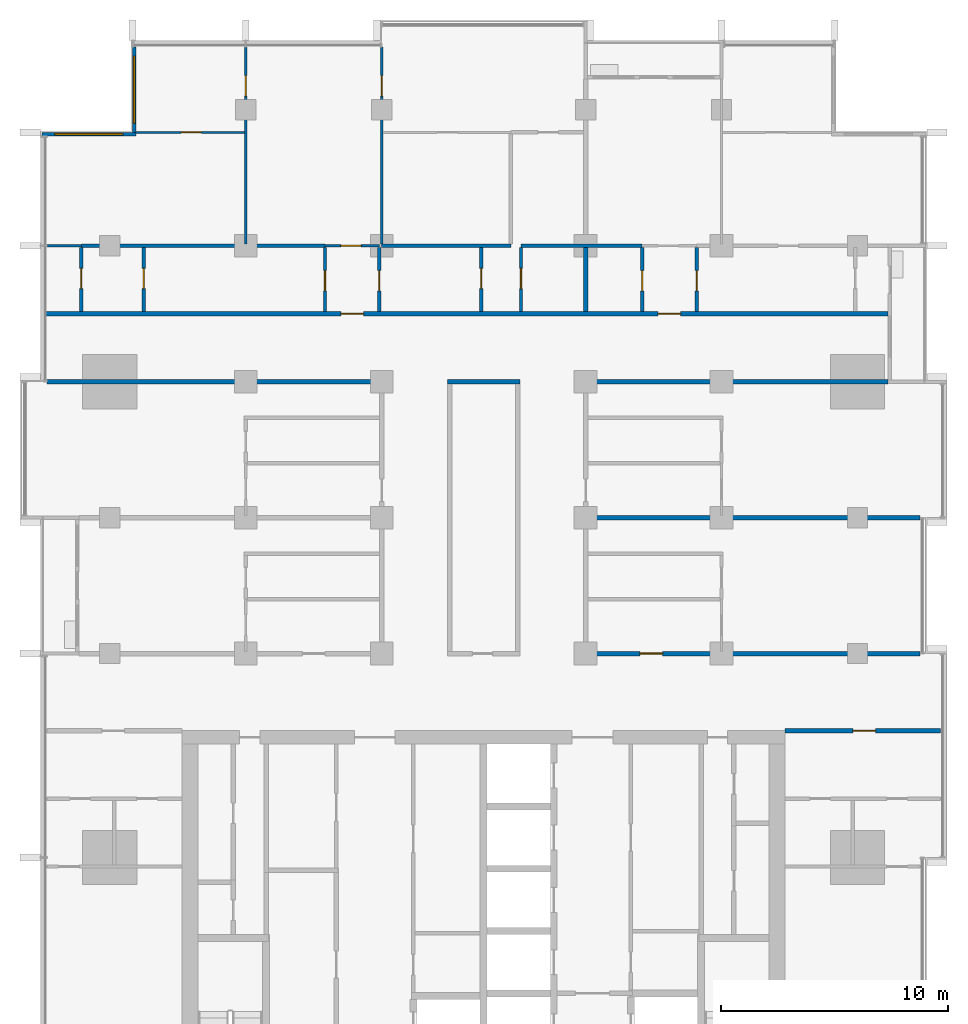
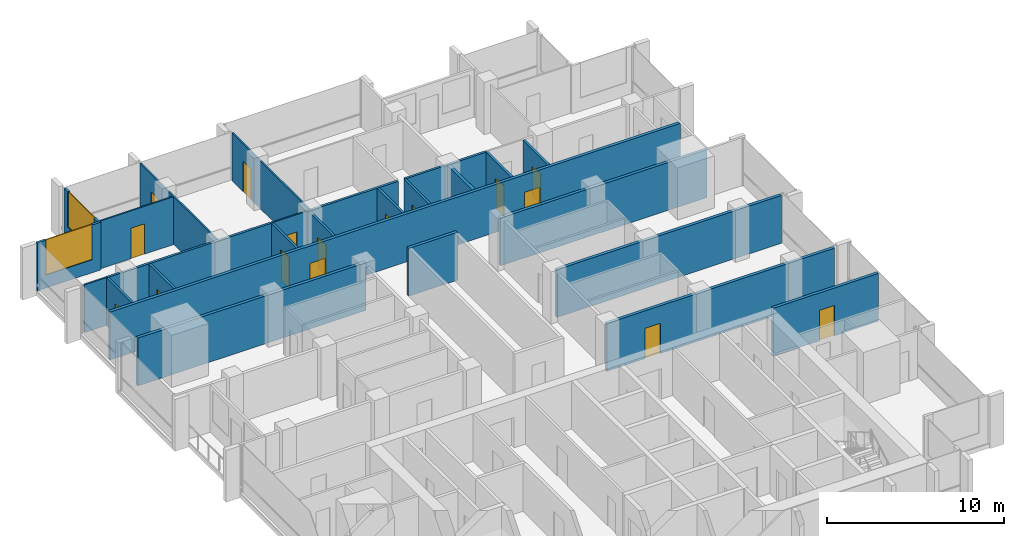
# One storey, part 10 of 16: 26 walls, 16 doors, 2 windows, 18 openings.
"""IFC4 building model written with IfcOpenShell, lengths in metres."""

import ifcopenshell
import ifcopenshell.guid

model = None  # the IFC model being written
_history = None  # IfcOwnerHistory: only IFC2X3 demands one
_inside = {}  # id of a spatial element -> (the spatial element, [elements in it])
_under = {}  # id of a project, library or spatial element -> (it, [spatial elements below it])
_declared = {}  # id of a project -> (the project, [libraries it declares])
_typed = {}  # id of a type object -> (the type object, [elements of that type])
_made_of = {}  # id of a material, layer set ... -> (it, [elements and type objects made of it])


def new_model(schema):
    """Start an empty IFC model of exactly this schema.

    Asked for "IFC4X3", IfcOpenShell would pick the latest addendum, in which some entities
    have other attributes; the version numbers below select the first issue.
    IFC2X3 requires an IfcOwnerHistory on every rooted entity: one is made here for all.
    """
    global model, _history
    if schema == "IFC4X3":
        model = ifcopenshell.file(schema_version=(4, 3, 0, 0))
    else:
        model = ifcopenshell.file(schema=schema)
    _inside.clear()
    _under.clear()
    _declared.clear()
    _typed.clear()
    _made_of.clear()
    _history = None
    if model.schema == "IFC2X3":
        org = make("IfcOrganization", Name="unknown")
        user = make(
            "IfcPersonAndOrganization",
            ThePerson=make("IfcPerson", FamilyName="unknown"),
            TheOrganization=org,
        )
        app = make(
            "IfcApplication",
            ApplicationDeveloper=org,
            Version="unknown",
            ApplicationFullName="unknown",
            ApplicationIdentifier="unknown",
        )
        _history = make(
            "IfcOwnerHistory",
            OwningUser=user,
            OwningApplication=app,
            ChangeAction="ADDED",
            CreationDate=0,
        )
    return model


def make(cls, **values):
    """One entity of the class cls with the attributes given. An attribute that is None is left unset."""
    return model.create_entity(
        cls, **{name: value for name, value in values.items() if value is not None}
    )


def rooted(cls, **values):
    """An entity with a GlobalId (a new one), such as an element, a storey or a relation."""
    return make(cls, GlobalId=ifcopenshell.guid.new(), OwnerHistory=_history, **values)


def si_unit(unit_type, name, prefix=None):
    """IfcSIUnit, for example si_unit("LENGTHUNIT", "METRE", prefix="MILLI")."""
    return make("IfcSIUnit", UnitType=unit_type, Prefix=prefix, Name=name)


def assignment(units):
    """IfcUnitAssignment: the units of a project."""
    return None if units is None else make("IfcUnitAssignment", Units=units)


def point(xyz):
    """IfcCartesianPoint."""
    return None if xyz is None else make("IfcCartesianPoint", Coordinates=xyz)


def direction(xyz):
    """IfcDirection."""
    return None if xyz is None else make("IfcDirection", DirectionRatios=xyz)


def frame(location, z_axis=None, x_axis=None):
    """IfcAxis2Placement3D, a coordinate frame: its origin and axes. An axis left out is left unset."""
    return make(
        "IfcAxis2Placement3D",
        Location=point(location),
        Axis=direction(z_axis),
        RefDirection=direction(x_axis),
    )


def frame_2d(location, x_axis=None):
    """IfcAxis2Placement2D, a coordinate frame in the plane: its origin and x axis."""
    return make(
        "IfcAxis2Placement2D", Location=point(location), RefDirection=direction(x_axis)
    )


def origin():
    """The frame at (0, 0, 0) with its axes left unset."""
    return frame((0.0, 0.0, 0.0))


def place(relative_to, where):
    """IfcLocalPlacement: puts the frame where relative to a parent placement (None: the world)."""
    return make(
        "IfcLocalPlacement", PlacementRelTo=relative_to, RelativePlacement=where
    )


def context(
    kind, dimensions, precision=None, world=None, true_north=None, identifier=None
):
    """IfcGeometricRepresentationContext, for example the 3D "Model" context."""
    return make(
        "IfcGeometricRepresentationContext",
        ContextIdentifier=identifier,
        ContextType=kind,
        CoordinateSpaceDimension=dimensions,
        Precision=precision,
        WorldCoordinateSystem=world,
        TrueNorth=true_north,
    )


def subcontext(parent, identifier, kind, view, scale=None):
    """IfcGeometricRepresentationSubContext, for example "Body" below "Model"."""
    return make(
        "IfcGeometricRepresentationSubContext",
        ContextIdentifier=identifier,
        ContextType=kind,
        ParentContext=parent,
        TargetScale=scale,
        TargetView=view,
    )


def project(units=None, contexts=None):
    """IfcProject with its units and contexts."""
    return rooted(
        "IfcProject",
        Name="project",
        RepresentationContexts=contexts,
        UnitsInContext=assignment(units),
    )


def spatial(cls, under=None, at=None, **own):
    """A site, building, storey or space (cls), placed at a placement, below another one or the project."""
    s = rooted(cls, ObjectPlacement=at, **own)
    if under is not None:
        _under.setdefault(under.id(), (under, []))[1].append(s)
    return s


def profile(cls, at=None, kind="AREA", **sizes):
    """A parametric profile (cls). Its sizes go by their IFC names, for example OverallWidth=200.0."""
    return make(cls, ProfileType=kind, Position=at, **sizes)


def rectangle(**sizes):
    """IfcRectangleProfileDef."""
    return profile("IfcRectangleProfileDef", **sizes)


def extrude(swept, where, along, depth):
    """IfcExtrudedAreaSolid: the profile swept, set in the frame where, extruded along a direction by depth."""
    return make(
        "IfcExtrudedAreaSolid",
        SweptArea=swept,
        Position=where,
        ExtrudedDirection=direction(along),
        Depth=depth,
    )


def shape(context_of_items, identifier, shape_type, items):
    """IfcShapeRepresentation: the items that make up one representation, for example the "Body"."""
    return make(
        "IfcShapeRepresentation",
        ContextOfItems=context_of_items,
        RepresentationIdentifier=identifier,
        RepresentationType=shape_type,
        Items=items,
    )


def material(Name=None, Category=None):
    """IfcMaterial."""
    return make("IfcMaterial", Name=Name, Category=Category)


def layer(
    of_material, thickness, ventilated=None, Name=None, Category=None, Priority=None
):
    """IfcMaterialLayer: one layer of a wall or slab, of a material (None: an air gap)."""
    return make(
        "IfcMaterialLayer",
        Material=of_material,
        LayerThickness=thickness,
        IsVentilated=ventilated,
        Name=Name,
        Category=Category,
        Priority=Priority,
    )


def layer_set(layers, Name=None):
    """IfcMaterialLayerSet."""
    return make("IfcMaterialLayerSet", MaterialLayers=layers, LayerSetName=Name)


def made_of(thing, what):
    """Note that an element or type object is made of a material, layer set ...; save() writes the relation."""
    if what is not None:
        _made_of.setdefault(what.id(), (what, []))[1].append(thing)
    return thing


def type_object(cls, material=None, **own):
    """A type object (cls), such as IfcWallType, which elements share."""
    return made_of(rooted(cls, **own), material)


def element(
    cls,
    number,
    at=None,
    inside=None,
    cuts=None,
    type_object=None,
    material=None,
    context=None,
    identifier="Body",
    shape_type=None,
    held_by="IfcProductDefinitionShape",
    body=None,
    shapes=None,
    **own,
):
    """One element of the class cls, such as IfcWall. Its Tag is "e" and its number.

    at: its placement. inside: the storey or other place that contains it. cuts: it is an
    opening in that element (IfcRelVoidsElement). A single representation is given by context,
    identifier, shape_type and body (its items); several are given by shapes. held_by: the class
    of the entity that holds the representations. save() writes the other relations.
    """
    e = rooted(cls, Tag="e%d" % number, ObjectPlacement=at, **own)
    if body is not None:
        shapes = [shape(context, identifier, shape_type, body)]
    if shapes is not None:
        e.Representation = make(held_by, Representations=shapes)
    if inside is not None:
        _inside.setdefault(inside.id(), (inside, []))[1].append(e)
    if cuts is not None:
        rooted(
            "IfcRelVoidsElement", RelatingBuildingElement=cuts, RelatedOpeningElement=e
        )
    if type_object is not None:
        _typed.setdefault(type_object.id(), (type_object, []))[1].append(e)
    return made_of(e, material)


def fill(opening, filler):
    """IfcRelFillsElement: the door or window that sits in an opening."""
    return rooted(
        "IfcRelFillsElement",
        RelatingOpeningElement=opening,
        RelatedBuildingElement=filler,
    )


def aggregate(whole, parts):
    """IfcRelAggregates: a whole, such as a stair, and the parts it consists of."""
    return rooted("IfcRelAggregates", RelatingObject=whole, RelatedObjects=parts)


def save(model, path):
    """Write the relations noted so far, then the file.

    IfcRelAggregates (storeys below a building ...), IfcRelContainedInSpatialStructure (elements
    in a storey), IfcRelDefinesByType, IfcRelAssociatesMaterial and IfcRelDeclares: one each for
    every whole, place, type object, material and project.
    """
    for whole, parts in _under.values():
        aggregate(whole, parts)
    for where, things in _inside.values():
        rooted(
            "IfcRelContainedInSpatialStructure",
            RelatedElements=things,
            RelatingStructure=where,
        )
    for kind, things in _typed.values():
        rooted("IfcRelDefinesByType", RelatedObjects=things, RelatingType=kind)
    for what, things in _made_of.values():
        rooted("IfcRelAssociatesMaterial", RelatedObjects=things, RelatingMaterial=what)
    for by, libraries in _declared.values():
        rooted("IfcRelDeclares", RelatingContext=by, RelatedDefinitions=libraries)
    model.write(path)


model = new_model("IFC4")

# Units and contexts
model_context = context("Model", 3, precision=1e-05, world=origin(), true_north=direction((0.0, 1.0)))
body_context = subcontext(model_context, "Body", "Model", "MODEL_VIEW")
ifc_project = project(units=[si_unit("LENGTHUNIT", "METRE"), si_unit("AREAUNIT", "SQUARE_METRE"), si_unit("VOLUMEUNIT", "CUBIC_METRE"), si_unit("PLANEANGLEUNIT", "RADIAN"), si_unit("MASSUNIT", "GRAM", prefix="KILO")], contexts=[model_context])

# Site, building, storey
site_placement = place(None, origin())
site = spatial("IfcSite", under=ifc_project, at=site_placement, CompositionType="ELEMENT")
building_placement = place(site_placement, origin())
building = spatial("IfcBuilding", under=site, at=building_placement, Name="Finial Court Residences", CompositionType="ELEMENT")
storey_placement = place(building_placement, frame((0.0, 0.0, 178.10009765625)))
storey = spatial("IfcBuildingStorey", under=building, at=storey_placement, Name="L44", CompositionType="ELEMENT", Elevation=178.10009765625)

# Walls
ifc_material_1 = material(Name="Gypsum board")
ifc_layer_1 = layer(ifc_material_1, 0.02490234375)
ifc_material_2 = material(Name="Acoustic mineral wool in double frame")
ifc_layer_2 = layer(ifc_material_2, 0.14990234375)
ifc_layer_3 = layer(ifc_material_1, 0.02490234375)
ifc_layer_set_1 = layer_set([ifc_layer_1, ifc_layer_2, ifc_layer_3], Name="Acoustic party wall 200, 1 hour")
wall_type_1 = type_object("IfcWallType", Name="Acoustic party wall 200, 1 hour", PredefinedType="PARTITIONING", material=ifc_layer_set_1)
wall_1_placement = place(storey_placement, frame((4.60009765625, 1.5, 0.0), z_axis=(0.0, 0.0, 1.0), x_axis=(1.0, 0.0, 0.0)))
element("IfcWall", 1, at=wall_1_placement, inside=storey, type_object=wall_type_1, Name="Partition L44-014", PredefinedType="PARTITIONING", context=body_context, shape_type="SweptSolid", body=[
    extrude(rectangle(XDim=14.662353515625, YDim=0.199951171875, at=frame_2d((7.3310546875, 0.0))), origin(), (0.0, 0.0, 1.0), 3.2998046875),
])
wall_2_placement = place(storey_placement, frame((4.5, 10.60009765625, 0.0), z_axis=(0.0, 0.0, 1.0), x_axis=(0.0, 1.0, 0.0)))
element("IfcWall", 2, at=wall_2_placement, inside=storey, type_object=wall_type_1, Name="Partition L44-052", PredefinedType="PARTITIONING", context=body_context, shape_type="SweptSolid", body=[
    extrude(rectangle(XDim=2.824951171875, YDim=0.199951171875, at=frame_2d((1.41259765625, 0.0))), origin(), (0.0, 0.0, 1.0), 3.2998046875),
])

# Wall, opening, door
ifc_layer_4 = layer(ifc_material_1, 0.02490234375)
ifc_layer_5 = layer(ifc_material_2, 0.14990234375)
ifc_layer_6 = layer(ifc_material_1, 0.02490234375)
ifc_layer_set_2 = layer_set([ifc_layer_4, ifc_layer_5, ifc_layer_6], Name="Corridor wall 200, 1 hour")
wall_type_2 = type_object("IfcWallType", Name="Corridor wall 200, 1 hour", PredefinedType="PARTITIONING", material=ifc_layer_set_2)
wall_3_placement = place(storey_placement, frame((13.300048828125, -7.89990234375, 0.0), z_axis=(0.0, 0.0, 1.0), x_axis=(1.0, 0.0, 0.0)))
wall_3 = element("IfcWall", 3, at=wall_3_placement, inside=storey, type_object=wall_type_2, Name="Partition L44-005", PredefinedType="PARTITIONING", context=body_context, shape_type="SweptSolid", body=[
    extrude(rectangle(XDim=6.862548828125, YDim=0.199951171875, at=frame_2d((3.43115234375, 0.0))), origin(), (0.0, 0.0, 1.0), 3.2998046875),
])
opening_1_placement = place(wall_3_placement, frame((3.0, 0.0, 0.0)))
opening_1 = element("IfcOpeningElement", 4, at=opening_1_placement, cuts=wall_3, Name="Opening L44-D008", PredefinedType="OPENING", context=body_context, shape_type="SweptSolid", body=[
    extrude(rectangle(XDim=1.0, YDim=2.10009765625, at=frame_2d((0.5, 1.050048828125))), frame((0.0, 0.10986328125, 0.0), z_axis=(0.0, -1.0, 0.0), x_axis=(1.0, 0.0, 0.0)), (0.0, 0.0, 1.0), 0.219970703125),
])
ifc_material_3 = material(Name="Timber door leaf in hollow metal frame", Category="wood")
door_type_1 = type_object("IfcDoorType", Name="Fire door set 1000 x 2100, 30 minutes", OperationType="SINGLE_SWING_LEFT", PredefinedType="DOOR", material=ifc_material_3)
door_1_placement = place(opening_1_placement, origin())
door_1 = element("IfcDoor", 5, at=door_1_placement, inside=storey, type_object=door_type_1, Name="Door L44-D008", OperationType="SINGLE_SWING_RIGHT", OverallHeight=2.10009765625, OverallWidth=1.0, PredefinedType="DOOR", context=body_context, shape_type="SweptSolid", body=[
    extrude(rectangle(XDim=1.0, YDim=2.10009765625, at=frame_2d((0.5, 1.050048828125))), frame((0.0, 0.02490234375, 0.0), z_axis=(0.0, -1.0, 0.0), x_axis=(1.0, 0.0, 0.0)), (0.0, 0.0, 1.0), 0.050048828125),
])
fill(opening_1, door_1)

wall_4_placement = place(storey_placement, frame((4.39990234375, -4.5, 0.0), z_axis=(0.0, 0.0, 1.0), x_axis=(1.0, 0.0, 0.0)))
wall_4 = element("IfcWall", 6, at=wall_4_placement, inside=storey, type_object=wall_type_2, Name="Partition L44-008", PredefinedType="PARTITIONING", context=body_context, shape_type="SweptSolid", body=[
    extrude(rectangle(XDim=14.862548828125, YDim=0.199951171875, at=frame_2d((7.43115234375, 0.0))), origin(), (0.0, 0.0, 1.0), 3.2998046875),
])
opening_2_placement = place(wall_4_placement, frame((2.5, 0.0, 0.0)))
opening_2 = element("IfcOpeningElement", 7, at=opening_2_placement, cuts=wall_4, Name="Opening L44-D011", PredefinedType="OPENING", context=body_context, shape_type="SweptSolid", body=[
    extrude(rectangle(XDim=1.0, YDim=2.10009765625, at=frame_2d((0.5, 1.050048828125))), frame((0.0, 0.10986328125, 0.0), z_axis=(0.0, -1.0, 0.0), x_axis=(1.0, 0.0, 0.0)), (0.0, 0.0, 1.0), 0.219970703125),
])
door_2_placement = place(opening_2_placement, origin())
door_2 = element("IfcDoor", 8, at=door_2_placement, inside=storey, type_object=door_type_1, Name="Door L44-D011", OperationType="SINGLE_SWING_RIGHT", OverallHeight=2.10009765625, OverallWidth=1.0, PredefinedType="DOOR", context=body_context, shape_type="SweptSolid", body=[
    extrude(rectangle(XDim=1.0, YDim=2.10009765625, at=frame_2d((0.5, 1.050048828125))), frame((0.0, 0.02490234375, 0.0), z_axis=(0.0, -1.0, 0.0), x_axis=(1.0, 0.0, 0.0)), (0.0, 0.0, 1.0), 0.050048828125),
])
fill(opening_2, door_2)

# Walls
wall_5_placement = place(storey_placement, frame((-19.262451171875, 7.5, 0.0), z_axis=(0.0, 0.0, 1.0), x_axis=(1.0, 0.0, 0.0)))
element("IfcWall", 9, at=wall_5_placement, inside=storey, type_object=wall_type_2, Name="Partition L44-019", PredefinedType="PARTITIONING", context=body_context, shape_type="SweptSolid", body=[
    extrude(rectangle(XDim=14.862548828125, YDim=0.199951171875, at=frame_2d((7.43115234375, 0.0))), origin(), (0.0, 0.0, 1.0), 3.2998046875),
])
wall_6_placement = place(storey_placement, frame((-1.60009765625, 7.5, 0.0), z_axis=(0.0, 0.0, 1.0), x_axis=(1.0, 0.0, 0.0)))
element("IfcWall", 10, at=wall_6_placement, inside=storey, type_object=wall_type_2, Name="Partition L44-020", PredefinedType="PARTITIONING", context=body_context, shape_type="SweptSolid", body=[
    extrude(rectangle(XDim=3.2001953125, YDim=0.199951171875, at=frame_2d((1.60009765625, 0.0))), origin(), (0.0, 0.0, 1.0), 3.2998046875),
])
wall_7_placement = place(storey_placement, frame((4.39990234375, 7.5, 0.0), z_axis=(0.0, 0.0, 1.0), x_axis=(1.0, 0.0, 0.0)))
element("IfcWall", 11, at=wall_7_placement, inside=storey, type_object=wall_type_2, Name="Partition L44-021", PredefinedType="PARTITIONING", context=body_context, shape_type="SweptSolid", body=[
    extrude(rectangle(XDim=13.4501953125, YDim=0.199951171875, at=frame_2d((6.72509765625, 0.0))), origin(), (0.0, 0.0, 1.0), 3.2998046875),
])

# Wall, openings, doors
wall_8_placement = place(storey_placement, frame((-19.35009765625, 10.5, 0.0), z_axis=(0.0, 0.0, 1.0), x_axis=(1.0, 0.0, 0.0)))
wall_8 = element("IfcWall", 12, at=wall_8_placement, inside=storey, type_object=wall_type_2, Name="Partition L44-022", PredefinedType="PARTITIONING", context=body_context, shape_type="SweptSolid", body=[
    extrude(rectangle(XDim=37.2001953125, YDim=0.199951171875, at=frame_2d((18.60009765625, 0.0))), origin(), (0.0, 0.0, 1.0), 3.2998046875),
])
opening_3_placement = place(wall_8_placement, frame((13.050048828125, 0.0, 0.0)))
opening_3 = element("IfcOpeningElement", 13, at=opening_3_placement, cuts=wall_8, Name="Opening L44-D012", PredefinedType="OPENING", context=body_context, shape_type="SweptSolid", body=[
    extrude(rectangle(XDim=1.0, YDim=2.10009765625, at=frame_2d((0.5, 1.050048828125))), frame((0.0, 0.10986328125, 0.0), z_axis=(0.0, -1.0, 0.0), x_axis=(1.0, 0.0, 0.0)), (0.0, 0.0, 1.0), 0.219970703125),
])
opening_4_placement = place(wall_8_placement, frame((27.050048828125, 0.0, 0.0)))
opening_4 = element("IfcOpeningElement", 14, at=opening_4_placement, cuts=wall_8, Name="Opening L44-D013", PredefinedType="OPENING", context=body_context, shape_type="SweptSolid", body=[
    extrude(rectangle(XDim=1.0, YDim=2.10009765625, at=frame_2d((0.5, 1.050048828125))), frame((0.0, 0.10986328125, 0.0), z_axis=(0.0, -1.0, 0.0), x_axis=(1.0, 0.0, 0.0)), (0.0, 0.0, 1.0), 0.219970703125),
])
door_3_placement = place(opening_3_placement, origin())
door_3 = element("IfcDoor", 15, at=door_3_placement, inside=storey, type_object=door_type_1, Name="Door L44-D012", OperationType="SINGLE_SWING_RIGHT", OverallHeight=2.10009765625, OverallWidth=1.0, PredefinedType="DOOR", context=body_context, shape_type="SweptSolid", body=[
    extrude(rectangle(XDim=1.0, YDim=2.10009765625, at=frame_2d((0.5, 1.050048828125))), frame((0.0, 0.02490234375, 0.0), z_axis=(0.0, -1.0, 0.0), x_axis=(1.0, 0.0, 0.0)), (0.0, 0.0, 1.0), 0.050048828125),
])
fill(opening_3, door_3)
door_4_placement = place(opening_4_placement, origin())
door_4 = element("IfcDoor", 16, at=door_4_placement, inside=storey, type_object=door_type_1, Name="Door L44-D013", OperationType="SINGLE_SWING_LEFT", OverallHeight=2.10009765625, OverallWidth=1.0, PredefinedType="DOOR", context=body_context, shape_type="SweptSolid", body=[
    extrude(rectangle(XDim=1.0, YDim=2.10009765625, at=frame_2d((0.5, 1.050048828125))), frame((0.0, 0.02490234375, 0.0), z_axis=(0.0, -1.0, 0.0), x_axis=(1.0, 0.0, 0.0)), (0.0, 0.0, 1.0), 0.050048828125),
])
fill(opening_4, door_4)

# Wall
ifc_layer_7 = layer(ifc_material_1, 0.012451171875)
ifc_material_4 = material(Name="Mineral wool in light-gauge frame")
ifc_layer_8 = layer(ifc_material_4, 0.074951171875)
ifc_layer_9 = layer(ifc_material_1, 0.012451171875)
ifc_layer_set_3 = layer_set([ifc_layer_7, ifc_layer_8, ifc_layer_9], Name="Gypsum board partition 100")
wall_type_3 = type_object("IfcWallType", Name="Gypsum board partition 100", PredefinedType="PARTITIONING", material=ifc_layer_set_3)
wall_9_placement = place(storey_placement, frame((-19.262451171875, 13.5, 0.0), z_axis=(0.0, 0.0, 1.0), x_axis=(1.0, 0.0, 0.0)))
element("IfcWall", 17, at=wall_9_placement, inside=storey, type_object=wall_type_3, Name="Partition L44-023", PredefinedType="PARTITIONING", context=body_context, shape_type="SweptSolid", body=[
    extrude(rectangle(XDim=1.512451171875, YDim=0.10009765625, at=frame_2d((0.75634765625, 0.0))), origin(), (0.0, 0.0, 1.0), 3.2998046875),
])

# Wall, opening, door
wall_10_placement = place(storey_placement, frame((-7.0, 13.5, 0.0), z_axis=(0.0, 0.0, 1.0), x_axis=(1.0, 0.0, 0.0)))
wall_10 = element("IfcWall", 18, at=wall_10_placement, inside=storey, type_object=wall_type_3, Name="Partition L44-024", PredefinedType="PARTITIONING", context=body_context, shape_type="SweptSolid", body=[
    extrude(rectangle(XDim=2.39990234375, YDim=0.10009765625, at=frame_2d((1.199951171875, 0.0))), origin(), (0.0, 0.0, 1.0), 3.2998046875),
])
opening_5_placement = place(wall_10_placement, frame((0.699951171875, 0.0, 0.0)))
opening_5 = element("IfcOpeningElement", 19, at=opening_5_placement, cuts=wall_10, Name="Opening L44-D014", PredefinedType="OPENING", context=body_context, shape_type="SweptSolid", body=[
    extrude(rectangle(XDim=0.89990234375, YDim=2.10009765625, at=frame_2d((0.449951171875, 1.050048828125))), frame((0.0, 0.06005859375, 0.0), z_axis=(0.0, -1.0, 0.0), x_axis=(1.0, 0.0, 0.0)), (0.0, 0.0, 1.0), 0.1201171875),
])
ifc_material_5 = material(Name="Timber door leaf in timber frame", Category="wood")
door_type_2 = type_object("IfcDoorType", Name="Door set 900 x 2100", OperationType="SINGLE_SWING_LEFT", PredefinedType="DOOR", material=ifc_material_5)
door_5_placement = place(opening_5_placement, origin())
door_5 = element("IfcDoor", 20, at=door_5_placement, inside=storey, type_object=door_type_2, Name="Door L44-D014", OperationType="SINGLE_SWING_LEFT", OverallHeight=2.10009765625, OverallWidth=0.89990234375, PredefinedType="DOOR", context=body_context, shape_type="SweptSolid", body=[
    extrude(rectangle(XDim=0.89990234375, YDim=2.10009765625, at=frame_2d((0.449951171875, 1.050048828125))), frame((0.0, 0.02490234375, 0.0), z_axis=(0.0, -1.0, 0.0), x_axis=(1.0, 0.0, 0.0)), (0.0, 0.0, 1.0), 0.050048828125),
])
fill(opening_5, door_5)

wall_11_placement = place(storey_placement, frame((-15.35009765625, 18.5, 0.0), z_axis=(0.0, 0.0, 1.0), x_axis=(1.0, 0.0, 0.0)))
wall_11 = element("IfcWall", 21, at=wall_11_placement, inside=storey, type_object=wall_type_3, Name="Partition L44-030", PredefinedType="PARTITIONING", context=body_context, shape_type="SweptSolid", body=[
    extrude(rectangle(XDim=4.800048828125, YDim=0.10009765625, at=frame_2d((2.39990234375, 0.0))), origin(), (0.0, 0.0, 1.0), 3.2998046875),
])
opening_6_placement = place(wall_11_placement, frame((2.0, 0.0, 0.0)))
opening_6 = element("IfcOpeningElement", 22, at=opening_6_placement, cuts=wall_11, Name="Opening L44-D017", PredefinedType="OPENING", context=body_context, shape_type="SweptSolid", body=[
    extrude(rectangle(XDim=0.89990234375, YDim=2.10009765625, at=frame_2d((0.449951171875, 1.050048828125))), frame((0.0, 0.06005859375, 0.0), z_axis=(0.0, -1.0, 0.0), x_axis=(1.0, 0.0, 0.0)), (0.0, 0.0, 1.0), 0.1201171875),
])
door_6_placement = place(opening_6_placement, origin())
door_6 = element("IfcDoor", 23, at=door_6_placement, inside=storey, type_object=door_type_2, Name="Door L44-D017", OperationType="SINGLE_SWING_LEFT", OverallHeight=2.10009765625, OverallWidth=0.89990234375, PredefinedType="DOOR", context=body_context, shape_type="SweptSolid", body=[
    extrude(rectangle(XDim=0.89990234375, YDim=2.10009765625, at=frame_2d((0.449951171875, 1.050048828125))), frame((0.0, 0.02490234375, 0.0), z_axis=(0.0, -1.0, 0.0), x_axis=(1.0, 0.0, 0.0)), (0.0, 0.0, 1.0), 0.050048828125),
])
fill(opening_6, door_6)

wall_12_placement = place(storey_placement, frame((-10.5, 13.574951171875, 0.0), z_axis=(0.0, 0.0, 1.0), x_axis=(0.0, 1.0, 0.0)))
wall_12 = element("IfcWall", 24, at=wall_12_placement, inside=storey, type_object=wall_type_3, Name="Partition L44-039", PredefinedType="PARTITIONING", context=body_context, shape_type="SweptSolid", body=[
    extrude(rectangle(XDim=8.6875, YDim=0.10009765625, at=frame_2d((4.34375, 0.0))), origin(), (0.0, 0.0, 1.0), 3.2998046875),
])
opening_7_placement = place(wall_12_placement, frame((6.52490234375, 0.0, 0.0)))
opening_7 = element("IfcOpeningElement", 25, at=opening_7_placement, cuts=wall_12, Name="Opening L44-D025", PredefinedType="OPENING", context=body_context, shape_type="SweptSolid", body=[
    extrude(rectangle(XDim=0.89990234375, YDim=2.10009765625, at=frame_2d((0.449951171875, 1.050048828125))), frame((0.0, 0.06005859375, 0.0), z_axis=(0.0, -1.0, 0.0), x_axis=(1.0, 0.0, 0.0)), (0.0, 0.0, 1.0), 0.1201171875),
])
door_7_placement = place(opening_7_placement, origin())
door_7 = element("IfcDoor", 26, at=door_7_placement, inside=storey, type_object=door_type_2, Name="Door L44-D025", OperationType="SINGLE_SWING_LEFT", OverallHeight=2.10009765625, OverallWidth=0.89990234375, PredefinedType="DOOR", context=body_context, shape_type="SweptSolid", body=[
    extrude(rectangle(XDim=0.89990234375, YDim=2.10009765625, at=frame_2d((0.449951171875, 1.050048828125))), frame((0.0, 0.02490234375, 0.0), z_axis=(0.0, -1.0, 0.0), x_axis=(1.0, 0.0, 0.0)), (0.0, 0.0, 1.0), 0.050048828125),
])
fill(opening_7, door_7)

wall_13_placement = place(storey_placement, frame((-4.5, 13.574951171875, 0.0), z_axis=(0.0, 0.0, 1.0), x_axis=(0.0, 1.0, 0.0)))
wall_13 = element("IfcWall", 27, at=wall_13_placement, inside=storey, type_object=wall_type_3, Name="Partition L44-045", PredefinedType="PARTITIONING", context=body_context, shape_type="SweptSolid", body=[
    extrude(rectangle(XDim=8.6875, YDim=0.10009765625, at=frame_2d((4.34375, 0.0))), origin(), (0.0, 0.0, 1.0), 3.2998046875),
])
opening_8_placement = place(wall_13_placement, frame((6.52490234375, 0.0, 0.0)))
opening_8 = element("IfcOpeningElement", 28, at=opening_8_placement, cuts=wall_13, Name="Opening L44-D031", PredefinedType="OPENING", context=body_context, shape_type="SweptSolid", body=[
    extrude(rectangle(XDim=0.89990234375, YDim=2.10009765625, at=frame_2d((0.449951171875, 1.050048828125))), frame((0.0, 0.06005859375, 0.0), z_axis=(0.0, -1.0, 0.0), x_axis=(1.0, 0.0, 0.0)), (0.0, 0.0, 1.0), 0.1201171875),
])
door_8_placement = place(opening_8_placement, origin())
door_8 = element("IfcDoor", 29, at=door_8_placement, inside=storey, type_object=door_type_2, Name="Door L44-D031", OperationType="SINGLE_SWING_RIGHT", OverallHeight=2.10009765625, OverallWidth=0.89990234375, PredefinedType="DOOR", context=body_context, shape_type="SweptSolid", body=[
    extrude(rectangle(XDim=0.89990234375, YDim=2.10009765625, at=frame_2d((0.449951171875, 1.050048828125))), frame((0.0, 0.02490234375, 0.0), z_axis=(0.0, -1.0, 0.0), x_axis=(1.0, 0.0, 0.0)), (0.0, 0.0, 1.0), 0.050048828125),
])
fill(opening_8, door_8)

# Walls
ifc_material_6 = material(Name="Moisture-resistant gypsum board")
ifc_layer_10 = layer(ifc_material_6, 0.012451171875)
ifc_layer_11 = layer(ifc_material_4, 0.125)
ifc_layer_12 = layer(ifc_material_6, 0.012451171875)
ifc_layer_set_4 = layer_set([ifc_layer_10, ifc_layer_11, ifc_layer_12], Name="Gypsum board wet-area partition 150")
wall_type_4 = type_object("IfcWallType", Name="Gypsum board wet-area partition 150", PredefinedType="PARTITIONING", material=ifc_layer_set_4)
wall_14_placement = place(storey_placement, frame((-17.75, 13.5, 0.0), z_axis=(0.0, 0.0, 1.0), x_axis=(1.0, 0.0, 0.0)))
element("IfcWall", 30, at=wall_14_placement, inside=storey, type_object=wall_type_4, Name="Partition L44-026", PredefinedType="PARTITIONING", context=body_context, shape_type="SweptSolid", body=[
    extrude(rectangle(XDim=10.75, YDim=0.14990234375, at=frame_2d((5.375, 0.0))), origin(), (0.0, 0.0, 1.0), 3.2998046875),
])
wall_15_placement = place(storey_placement, frame((-4.5, 13.5, 0.0), z_axis=(0.0, 0.0, 1.0), x_axis=(1.0, 0.0, 0.0)))
element("IfcWall", 31, at=wall_15_placement, inside=storey, type_object=wall_type_4, Name="Partition L44-027", PredefinedType="PARTITIONING", context=body_context, shape_type="SweptSolid", body=[
    extrude(rectangle(XDim=5.699951171875, YDim=0.14990234375, at=frame_2d((2.85009765625, 0.0))), origin(), (0.0, 0.0, 1.0), 3.2998046875),
])
wall_16_placement = place(storey_placement, frame((1.64990234375, 13.5, 0.0), z_axis=(0.0, 0.0, 1.0), x_axis=(1.0, 0.0, 0.0)))
element("IfcWall", 32, at=wall_16_placement, inside=storey, type_object=wall_type_4, Name="Partition L44-028", PredefinedType="PARTITIONING", context=body_context, shape_type="SweptSolid", body=[
    extrude(rectangle(XDim=5.35009765625, YDim=0.14990234375, at=frame_2d((2.675048828125, 0.0))), origin(), (0.0, 0.0, 1.0), 3.2998046875),
])

# Wall, opening, door
wall_17_placement = place(storey_placement, frame((-17.75, 10.60009765625, 0.0), z_axis=(0.0, 0.0, 1.0), x_axis=(0.0, 1.0, 0.0)))
wall_17 = element("IfcWall", 33, at=wall_17_placement, inside=storey, type_object=wall_type_4, Name="Partition L44-034", PredefinedType="PARTITIONING", context=body_context, shape_type="SweptSolid", body=[
    extrude(rectangle(XDim=2.824951171875, YDim=0.14990234375, at=frame_2d((1.41259765625, 0.0))), origin(), (0.0, 0.0, 1.0), 3.2998046875),
])
opening_9_placement = place(wall_17_placement, frame((1.0, 0.0, 0.0)))
opening_9 = element("IfcOpeningElement", 34, at=opening_9_placement, cuts=wall_17, Name="Opening L44-D021", PredefinedType="OPENING", context=body_context, shape_type="SweptSolid", body=[
    extrude(rectangle(XDim=0.89990234375, YDim=2.10009765625, at=frame_2d((0.449951171875, 1.050048828125))), frame((0.0, 0.0849609375, 0.0), z_axis=(0.0, -1.0, 0.0), x_axis=(1.0, 0.0, 0.0)), (0.0, 0.0, 1.0), 0.169921875),
])
door_9_placement = place(opening_9_placement, origin())
door_9 = element("IfcDoor", 35, at=door_9_placement, inside=storey, type_object=door_type_2, Name="Door L44-D021", OperationType="SINGLE_SWING_RIGHT", OverallHeight=2.10009765625, OverallWidth=0.89990234375, PredefinedType="DOOR", context=body_context, shape_type="SweptSolid", body=[
    extrude(rectangle(XDim=0.89990234375, YDim=2.10009765625, at=frame_2d((0.449951171875, 1.050048828125))), frame((0.0, 0.02490234375, 0.0), z_axis=(0.0, -1.0, 0.0), x_axis=(1.0, 0.0, 0.0)), (0.0, 0.0, 1.0), 0.050048828125),
])
fill(opening_9, door_9)

wall_18_placement = place(storey_placement, frame((-15.0, 10.60009765625, 0.0), z_axis=(0.0, 0.0, 1.0), x_axis=(0.0, 1.0, 0.0)))
wall_18 = element("IfcWall", 36, at=wall_18_placement, inside=storey, type_object=wall_type_4, Name="Partition L44-036", PredefinedType="PARTITIONING", context=body_context, shape_type="SweptSolid", body=[
    extrude(rectangle(XDim=2.824951171875, YDim=0.14990234375, at=frame_2d((1.41259765625, 0.0))), origin(), (0.0, 0.0, 1.0), 3.2998046875),
])
opening_10_placement = place(wall_18_placement, frame((1.0, 0.0, 0.0)))
opening_10 = element("IfcOpeningElement", 37, at=opening_10_placement, cuts=wall_18, Name="Opening L44-D022", PredefinedType="OPENING", context=body_context, shape_type="SweptSolid", body=[
    extrude(rectangle(XDim=0.89990234375, YDim=2.10009765625, at=frame_2d((0.449951171875, 1.050048828125))), frame((0.0, 0.0849609375, 0.0), z_axis=(0.0, -1.0, 0.0), x_axis=(1.0, 0.0, 0.0)), (0.0, 0.0, 1.0), 0.169921875),
])
door_10_placement = place(opening_10_placement, origin())
door_10 = element("IfcDoor", 38, at=door_10_placement, inside=storey, type_object=door_type_2, Name="Door L44-D022", OperationType="SINGLE_SWING_LEFT", OverallHeight=2.10009765625, OverallWidth=0.89990234375, PredefinedType="DOOR", context=body_context, shape_type="SweptSolid", body=[
    extrude(rectangle(XDim=0.89990234375, YDim=2.10009765625, at=frame_2d((0.449951171875, 1.050048828125))), frame((0.0, 0.02490234375, 0.0), z_axis=(0.0, -1.0, 0.0), x_axis=(1.0, 0.0, 0.0)), (0.0, 0.0, 1.0), 0.050048828125),
])
fill(opening_10, door_10)

wall_19_placement = place(storey_placement, frame((-7.0, 10.60009765625, 0.0), z_axis=(0.0, 0.0, 1.0), x_axis=(0.0, 1.0, 0.0)))
wall_19 = element("IfcWall", 39, at=wall_19_placement, inside=storey, type_object=wall_type_4, Name="Partition L44-042", PredefinedType="PARTITIONING", context=body_context, shape_type="SweptSolid", body=[
    extrude(rectangle(XDim=2.824951171875, YDim=0.14990234375, at=frame_2d((1.41259765625, 0.0))), origin(), (0.0, 0.0, 1.0), 3.2998046875),
])
opening_11_placement = place(wall_19_placement, frame((0.89990234375, 0.0, 0.0)))
opening_11 = element("IfcOpeningElement", 40, at=opening_11_placement, cuts=wall_19, Name="Opening L44-D028", PredefinedType="OPENING", context=body_context, shape_type="SweptSolid", body=[
    extrude(rectangle(XDim=0.89990234375, YDim=2.10009765625, at=frame_2d((0.449951171875, 1.050048828125))), frame((0.0, 0.0849609375, 0.0), z_axis=(0.0, -1.0, 0.0), x_axis=(1.0, 0.0, 0.0)), (0.0, 0.0, 1.0), 0.169921875),
])
door_11_placement = place(opening_11_placement, origin())
door_11 = element("IfcDoor", 41, at=door_11_placement, inside=storey, type_object=door_type_2, Name="Door L44-D028", OperationType="SINGLE_SWING_LEFT", OverallHeight=2.10009765625, OverallWidth=0.89990234375, PredefinedType="DOOR", context=body_context, shape_type="SweptSolid", body=[
    extrude(rectangle(XDim=0.89990234375, YDim=2.10009765625, at=frame_2d((0.449951171875, 1.050048828125))), frame((0.0, 0.02490234375, 0.0), z_axis=(0.0, -1.0, 0.0), x_axis=(1.0, 0.0, 0.0)), (0.0, 0.0, 1.0), 0.050048828125),
])
fill(opening_11, door_11)

wall_20_placement = place(storey_placement, frame((-4.60009765625, 10.60009765625, 0.0), z_axis=(0.0, 0.0, 1.0), x_axis=(0.0, 1.0, 0.0)))
wall_20 = element("IfcWall", 42, at=wall_20_placement, inside=storey, type_object=wall_type_4, Name="Partition L44-043", PredefinedType="PARTITIONING", context=body_context, shape_type="SweptSolid", body=[
    extrude(rectangle(XDim=2.824951171875, YDim=0.14990234375, at=frame_2d((1.41259765625, 0.0))), origin(), (0.0, 0.0, 1.0), 3.2998046875),
])
opening_12_placement = place(wall_20_placement, frame((0.89990234375, 0.0, 0.0)))
opening_12 = element("IfcOpeningElement", 43, at=opening_12_placement, cuts=wall_20, Name="Opening L44-D029", PredefinedType="OPENING", context=body_context, shape_type="SweptSolid", body=[
    extrude(rectangle(XDim=0.89990234375, YDim=2.10009765625, at=frame_2d((0.449951171875, 1.050048828125))), frame((0.0, 0.0849609375, 0.0), z_axis=(0.0, -1.0, 0.0), x_axis=(1.0, 0.0, 0.0)), (0.0, 0.0, 1.0), 0.169921875),
])
door_12_placement = place(opening_12_placement, origin())
door_12 = element("IfcDoor", 44, at=door_12_placement, inside=storey, type_object=door_type_2, Name="Door L44-D029", OperationType="SINGLE_SWING_LEFT", OverallHeight=2.10009765625, OverallWidth=0.89990234375, PredefinedType="DOOR", context=body_context, shape_type="SweptSolid", body=[
    extrude(rectangle(XDim=0.89990234375, YDim=2.10009765625, at=frame_2d((0.449951171875, 1.050048828125))), frame((0.0, 0.02490234375, 0.0), z_axis=(0.0, -1.0, 0.0), x_axis=(1.0, 0.0, 0.0)), (0.0, 0.0, 1.0), 0.050048828125),
])
fill(opening_12, door_12)

wall_21_placement = place(storey_placement, frame((-0.10009765625, 10.60009765625, 0.0), z_axis=(0.0, 0.0, 1.0), x_axis=(0.0, 1.0, 0.0)))
wall_21 = element("IfcWall", 45, at=wall_21_placement, inside=storey, type_object=wall_type_4, Name="Partition L44-047", PredefinedType="PARTITIONING", context=body_context, shape_type="SweptSolid", body=[
    extrude(rectangle(XDim=2.824951171875, YDim=0.14990234375, at=frame_2d((1.41259765625, 0.0))), origin(), (0.0, 0.0, 1.0), 3.2998046875),
])
opening_13_placement = place(wall_21_placement, frame((1.0, 0.0, 0.0)))
opening_13 = element("IfcOpeningElement", 46, at=opening_13_placement, cuts=wall_21, Name="Opening L44-D032", PredefinedType="OPENING", context=body_context, shape_type="SweptSolid", body=[
    extrude(rectangle(XDim=0.89990234375, YDim=2.10009765625, at=frame_2d((0.449951171875, 1.050048828125))), frame((0.0, 0.0849609375, 0.0), z_axis=(0.0, -1.0, 0.0), x_axis=(1.0, 0.0, 0.0)), (0.0, 0.0, 1.0), 0.169921875),
])
door_13_placement = place(opening_13_placement, origin())
door_13 = element("IfcDoor", 47, at=door_13_placement, inside=storey, type_object=door_type_2, Name="Door L44-D032", OperationType="SINGLE_SWING_RIGHT", OverallHeight=2.10009765625, OverallWidth=0.89990234375, PredefinedType="DOOR", context=body_context, shape_type="SweptSolid", body=[
    extrude(rectangle(XDim=0.89990234375, YDim=2.10009765625, at=frame_2d((0.449951171875, 1.050048828125))), frame((0.0, 0.02490234375, 0.0), z_axis=(0.0, -1.0, 0.0), x_axis=(1.0, 0.0, 0.0)), (0.0, 0.0, 1.0), 0.050048828125),
])
fill(opening_13, door_13)

wall_22_placement = place(storey_placement, frame((1.64990234375, 10.60009765625, 0.0), z_axis=(0.0, 0.0, 1.0), x_axis=(0.0, 1.0, 0.0)))
wall_22 = element("IfcWall", 48, at=wall_22_placement, inside=storey, type_object=wall_type_4, Name="Partition L44-050", PredefinedType="PARTITIONING", context=body_context, shape_type="SweptSolid", body=[
    extrude(rectangle(XDim=2.824951171875, YDim=0.14990234375, at=frame_2d((1.41259765625, 0.0))), origin(), (0.0, 0.0, 1.0), 3.2998046875),
])
opening_14_placement = place(wall_22_placement, frame((1.0, 0.0, 0.0)))
opening_14 = element("IfcOpeningElement", 49, at=opening_14_placement, cuts=wall_22, Name="Opening L44-D033", PredefinedType="OPENING", context=body_context, shape_type="SweptSolid", body=[
    extrude(rectangle(XDim=0.89990234375, YDim=2.10009765625, at=frame_2d((0.449951171875, 1.050048828125))), frame((0.0, 0.0849609375, 0.0), z_axis=(0.0, -1.0, 0.0), x_axis=(1.0, 0.0, 0.0)), (0.0, 0.0, 1.0), 0.169921875),
])
door_14_placement = place(opening_14_placement, origin())
door_14 = element("IfcDoor", 50, at=door_14_placement, inside=storey, type_object=door_type_2, Name="Door L44-D033", OperationType="SINGLE_SWING_LEFT", OverallHeight=2.10009765625, OverallWidth=0.89990234375, PredefinedType="DOOR", context=body_context, shape_type="SweptSolid", body=[
    extrude(rectangle(XDim=0.89990234375, YDim=2.10009765625, at=frame_2d((0.449951171875, 1.050048828125))), frame((0.0, 0.02490234375, 0.0), z_axis=(0.0, -1.0, 0.0), x_axis=(1.0, 0.0, 0.0)), (0.0, 0.0, 1.0), 0.050048828125),
])
fill(opening_14, door_14)

wall_23_placement = place(storey_placement, frame((7.0, 10.60009765625, 0.0), z_axis=(0.0, 0.0, 1.0), x_axis=(0.0, 1.0, 0.0)))
wall_23 = element("IfcWall", 51, at=wall_23_placement, inside=storey, type_object=wall_type_4, Name="Partition L44-054", PredefinedType="PARTITIONING", context=body_context, shape_type="SweptSolid", body=[
    extrude(rectangle(XDim=2.824951171875, YDim=0.14990234375, at=frame_2d((1.41259765625, 0.0))), origin(), (0.0, 0.0, 1.0), 3.2998046875),
])
opening_15_placement = place(wall_23_placement, frame((0.89990234375, 0.0, 0.0)))
opening_15 = element("IfcOpeningElement", 52, at=opening_15_placement, cuts=wall_23, Name="Opening L44-D035", PredefinedType="OPENING", context=body_context, shape_type="SweptSolid", body=[
    extrude(rectangle(XDim=0.89990234375, YDim=2.10009765625, at=frame_2d((0.449951171875, 1.050048828125))), frame((0.0, 0.0849609375, 0.0), z_axis=(0.0, -1.0, 0.0), x_axis=(1.0, 0.0, 0.0)), (0.0, 0.0, 1.0), 0.169921875),
])
door_15_placement = place(opening_15_placement, origin())
door_15 = element("IfcDoor", 53, at=door_15_placement, inside=storey, type_object=door_type_2, Name="Door L44-D035", OperationType="SINGLE_SWING_RIGHT", OverallHeight=2.10009765625, OverallWidth=0.89990234375, PredefinedType="DOOR", context=body_context, shape_type="SweptSolid", body=[
    extrude(rectangle(XDim=0.89990234375, YDim=2.10009765625, at=frame_2d((0.449951171875, 1.050048828125))), frame((0.0, 0.02490234375, 0.0), z_axis=(0.0, -1.0, 0.0), x_axis=(1.0, 0.0, 0.0)), (0.0, 0.0, 1.0), 0.050048828125),
])
fill(opening_15, door_15)

wall_24_placement = place(storey_placement, frame((9.39990234375, 10.60009765625, 0.0), z_axis=(0.0, 0.0, 1.0), x_axis=(0.0, 1.0, 0.0)))
wall_24 = element("IfcWall", 54, at=wall_24_placement, inside=storey, type_object=wall_type_4, Name="Partition L44-055", PredefinedType="PARTITIONING", context=body_context, shape_type="SweptSolid", body=[
    extrude(rectangle(XDim=2.824951171875, YDim=0.14990234375, at=frame_2d((1.41259765625, 0.0))), origin(), (0.0, 0.0, 1.0), 3.2998046875),
])
opening_16_placement = place(wall_24_placement, frame((0.89990234375, 0.0, 0.0)))
opening_16 = element("IfcOpeningElement", 55, at=opening_16_placement, cuts=wall_24, Name="Opening L44-D036", PredefinedType="OPENING", context=body_context, shape_type="SweptSolid", body=[
    extrude(rectangle(XDim=0.89990234375, YDim=2.10009765625, at=frame_2d((0.449951171875, 1.050048828125))), frame((0.0, 0.0849609375, 0.0), z_axis=(0.0, -1.0, 0.0), x_axis=(1.0, 0.0, 0.0)), (0.0, 0.0, 1.0), 0.169921875),
])
door_16_placement = place(opening_16_placement, origin())
door_16 = element("IfcDoor", 56, at=door_16_placement, inside=storey, type_object=door_type_2, Name="Door L44-D036", OperationType="SINGLE_SWING_RIGHT", OverallHeight=2.10009765625, OverallWidth=0.89990234375, PredefinedType="DOOR", context=body_context, shape_type="SweptSolid", body=[
    extrude(rectangle(XDim=0.89990234375, YDim=2.10009765625, at=frame_2d((0.449951171875, 1.050048828125))), frame((0.0, 0.02490234375, 0.0), z_axis=(0.0, -1.0, 0.0), x_axis=(1.0, 0.0, 0.0)), (0.0, 0.0, 1.0), 0.050048828125),
])
fill(opening_16, door_16)

# Wall, opening, window
ifc_material_7 = material(Name="Natural limestone", Category="masonry")
ifc_layer_13 = layer(ifc_material_7, 0.14990234375)
ifc_layer_set_5 = layer_set([ifc_layer_13], Name="Limestone clad wall 150")
wall_type_5 = type_object("IfcWallType", Name="Limestone clad wall 150", PredefinedType="SOLIDWALL", material=ifc_layer_set_5)
wall_25_placement = place(storey_placement, frame((-15.425048828125, 18.5, 0.0), z_axis=(0.0, 0.0, 1.0), x_axis=(0.0, 1.0, 0.0)))
wall_25 = element("IfcWall", 57, at=wall_25_placement, inside=storey, type_object=wall_type_5, Name="E-L44-NWW18", PredefinedType="SOLIDWALL", context=body_context, shape_type="SweptSolid", body=[
    extrude(rectangle(XDim=3.762451171875, YDim=0.14990234375, at=frame_2d((1.88134765625, 0.0))), origin(), (0.0, 0.0, 1.0), 3.2998046875),
])
opening_17_placement = place(wall_25_placement, frame((0.4013671875, 0.0, 0.89990234375)))
opening_17 = element("IfcOpeningElement", 58, at=opening_17_placement, cuts=wall_25, Name="Opening WE44-05", PredefinedType="OPENING", context=body_context, shape_type="SweptSolid", body=[
    extrude(rectangle(XDim=2.9599609375, YDim=2.39990234375, at=frame_2d((1.47998046875, 1.199951171875))), frame((0.0, 0.0849609375, 0.0), z_axis=(0.0, -1.0, 0.0), x_axis=(1.0, 0.0, 0.0)), (0.0, 0.0, 1.0), 0.169921875),
])
ifc_material_8 = material(Name="Clear low-e glass", Category="glass")
window_type_1 = type_object("IfcWindowType", Name="Corner window 2960 x 2400", PartitioningType="SINGLE_PANEL", PredefinedType="WINDOW", material=ifc_material_8)
window_1_placement = place(opening_17_placement, origin())
window_1 = element("IfcWindow", 59, at=window_1_placement, inside=storey, type_object=window_type_1, Name="E-L44-NWW18-W1", OverallHeight=2.39990234375, OverallWidth=2.9599609375, PartitioningType="SINGLE_PANEL", PredefinedType="WINDOW", context=body_context, shape_type="SweptSolid", body=[
    extrude(rectangle(XDim=2.9599609375, YDim=2.39990234375, at=frame_2d((1.47998046875, 1.199951171875))), frame((0.0, 0.030029296875, 0.0), z_axis=(0.0, -1.0, 0.0), x_axis=(1.0, 0.0, 0.0)), (0.0, 0.0, 1.0), 0.06005859375),
])
fill(opening_17, window_1)

wall_26_placement = place(storey_placement, frame((-19.5, 18.425048828125, 0.0), z_axis=(0.0, 0.0, 1.0), x_axis=(1.0, 0.0, 0.0)))
wall_26 = element("IfcWall", 60, at=wall_26_placement, inside=storey, type_object=wall_type_5, Name="E-L44-NWN19", PredefinedType="SOLIDWALL", context=body_context, shape_type="SweptSolid", body=[
    extrude(rectangle(XDim=4.14990234375, YDim=0.14990234375, at=frame_2d((2.074951171875, 0.0))), origin(), (0.0, 0.0, 1.0), 3.2998046875),
])
opening_18_placement = place(wall_26_placement, frame((0.574951171875, 0.0, 0.89990234375)))
opening_18 = element("IfcOpeningElement", 61, at=opening_18_placement, cuts=wall_26, Name="Opening WE44-06", PredefinedType="OPENING", context=body_context, shape_type="SweptSolid", body=[
    extrude(rectangle(XDim=3.0, YDim=2.39990234375, at=frame_2d((1.5, 1.199951171875))), frame((0.0, 0.0849609375, 0.0), z_axis=(0.0, -1.0, 0.0), x_axis=(1.0, 0.0, 0.0)), (0.0, 0.0, 1.0), 0.169921875),
])
window_type_2 = type_object("IfcWindowType", Name="Corner window 3000 x 2400", PartitioningType="SINGLE_PANEL", PredefinedType="WINDOW", material=ifc_material_8)
window_2_placement = place(opening_18_placement, origin())
window_2 = element("IfcWindow", 62, at=window_2_placement, inside=storey, type_object=window_type_2, Name="E-L44-NWN19-W1", OverallHeight=2.39990234375, OverallWidth=3.0, PartitioningType="SINGLE_PANEL", PredefinedType="WINDOW", context=body_context, shape_type="SweptSolid", body=[
    extrude(rectangle(XDim=3.0, YDim=2.39990234375, at=frame_2d((1.5, 1.199951171875))), frame((0.0, 0.030029296875, 0.0), z_axis=(0.0, -1.0, 0.0), x_axis=(1.0, 0.0, 0.0)), (0.0, 0.0, 1.0), 0.06005859375),
])
fill(opening_18, window_2)

save(model, "model.ifc")
